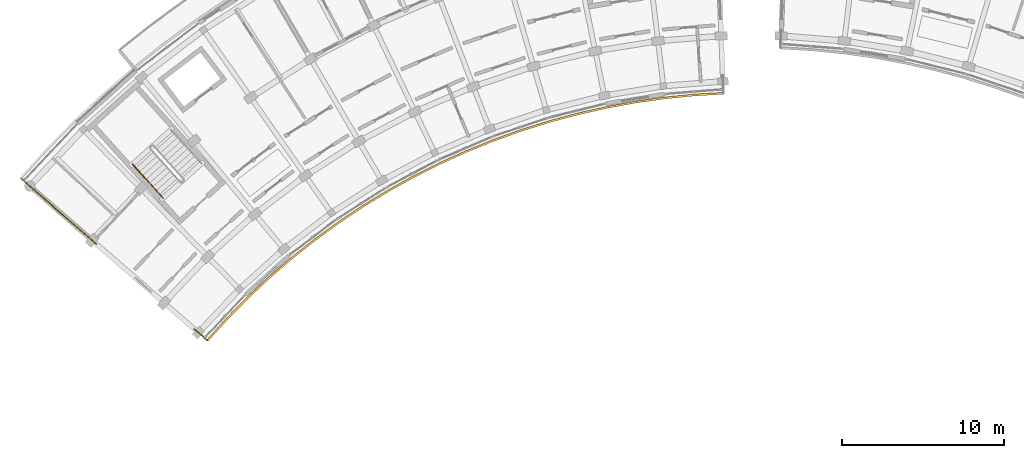
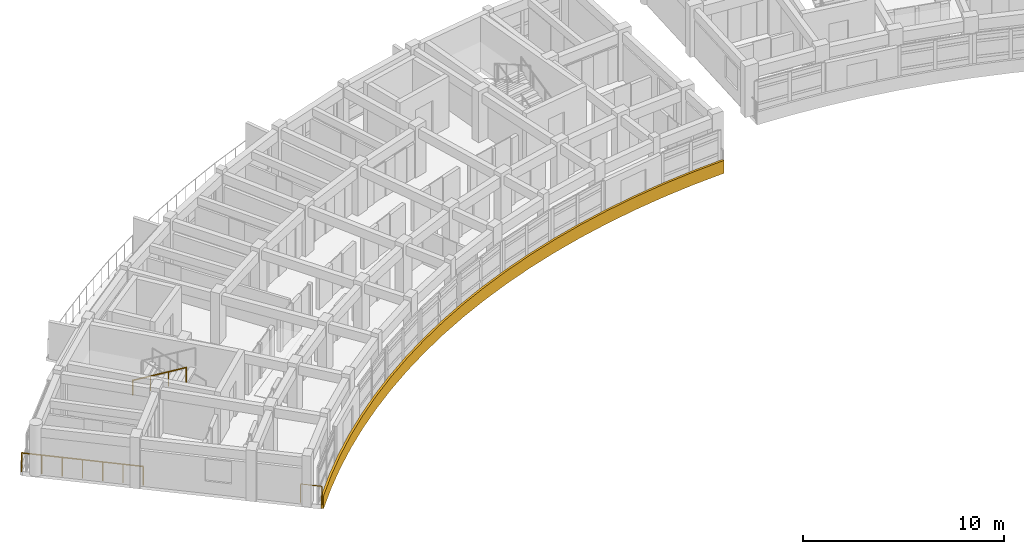
# One storey, part 32 of 40: 4 railings.
"""IFC4 building model written with IfcOpenShell, lengths in metres."""

from ifc_helpers import new_model, si_unit, direction, frame, origin, origin_2d, place, context, subcontext, project, spatial, polyline, circle, outline, extrude, material, type_object, element, save


model = new_model("IFC4")

# Units and contexts
model_context = context("Model", 3, precision=1e-05, world=origin(), true_north=direction((0.0, 1.0)))
body_context = subcontext(model_context, "Body", "Model", "MODEL_VIEW")
ifc_project = project(units=[si_unit("LENGTHUNIT", "METRE"), si_unit("AREAUNIT", "SQUARE_METRE"), si_unit("VOLUMEUNIT", "CUBIC_METRE"), si_unit("PLANEANGLEUNIT", "RADIAN"), si_unit("MASSUNIT", "GRAM", prefix="KILO")], contexts=[model_context])

# Site, building, storey
site_placement = place(None, origin())
site = spatial("IfcSite", under=ifc_project, at=site_placement, CompositionType="ELEMENT")
building_placement = place(site_placement, origin())
building = spatial("IfcBuilding", under=site, at=building_placement, Name="Zimvara Arc Housing Community", CompositionType="ELEMENT")
storey_placement = place(building_placement, frame((0.0, 0.0, 32.89990234375)))
storey = spatial("IfcBuildingStorey", under=building, at=storey_placement, Name="L10", CompositionType="ELEMENT", Elevation=32.89990234375)

# Railings
ifc_material_1 = material(Name="Anodised Aluminium AW-6063", Category="aluminium")
railing_type_1 = type_object("IfcRailingType", Name="RLG-BAL-1150", PredefinedType="BALUSTRADE", material=ifc_material_1)
railing_1_placement = place(storey_placement, frame((11.490966796875, 73.62890625, 0.0)))
element("IfcRailing", 1, at=railing_1_placement, inside=storey, type_object=railing_type_1, Name="rlg:blkA:L10:gable_in:g0", PredefinedType="BALUSTRADE", context=body_context, shape_type="SweptSolid", body=[
    extrude(circle(Radius=0.02392578125, at=origin_2d()), frame((0.0, 0.0, 1.1259765625), z_axis=(-0.754659042762, 0.656117161167, 0.0), x_axis=(-0.656117161167, -0.754659042762, 0.0)), (0.0, 0.0, 1.0), 1.080322265625),
    extrude(circle(Radius=0.02099609375, at=origin_2d()), origin(), (0.0, 0.0, 1.0), 1.101806640625),
    extrude(circle(Radius=0.02099609375, at=origin_2d()), frame((-0.815185546875, 0.708740234375, 0.0)), (0.0, 0.0, 1.0), 1.101806640625),
])
railing_2_placement = place(storey_placement, frame((4.668212890625, 79.559814453125, 0.0)))
element("IfcRailing", 2, at=railing_2_placement, inside=storey, type_object=railing_type_1, Name="rlg:blkA:L10:gable_out:g0", PredefinedType="BALUSTRADE", context=body_context, shape_type="SweptSolid", body=[
    extrude(circle(Radius=0.02392578125, at=origin_2d()), frame((0.0, 0.0, 1.1259765625), z_axis=(-0.754708757217, 0.656059975749, 0.0), x_axis=(-0.656059975749, -0.754708757217, 0.0)), (0.0, 0.0, 1.0), 6.159912109375),
    extrude(circle(Radius=0.02099609375, at=origin_2d()), origin(), (0.0, 0.0, 1.0), 1.101806640625),
    extrude(circle(Radius=0.02099609375, at=origin_2d()), frame((-0.77490234375, 0.673583984375, 0.0)), (0.0, 0.0, 1.0), 1.101806640625),
    extrude(circle(Radius=0.02099609375, at=origin_2d()), frame((-1.549560546875, 1.34716796875, 0.0)), (0.0, 0.0, 1.0), 1.101806640625),
    extrude(circle(Radius=0.02099609375, at=origin_2d()), frame((-2.324462890625, 2.0205078125, 0.0)), (0.0, 0.0, 1.0), 1.101806640625),
    extrude(circle(Radius=0.02099609375, at=origin_2d()), frame((-3.099365234375, 2.694091796875, 0.0)), (0.0, 0.0, 1.0), 1.101806640625),
    extrude(circle(Radius=0.02099609375, at=origin_2d()), frame((-3.8740234375, 3.36767578125, 0.0)), (0.0, 0.0, 1.0), 1.101806640625),
    extrude(circle(Radius=0.02099609375, at=origin_2d()), frame((-4.64892578125, 4.041259765625, 0.0)), (0.0, 0.0, 1.0), 1.101806640625),
])
ifc_material_2 = material(Name="Pale-Gold Anodised Aluminium AW-6063", Category="aluminium")
railing_type_2 = type_object("IfcRailingType", Name="RLG-FAS-780", PredefinedType="BALUSTRADE", material=ifc_material_2)
railing_3_placement = place(storey_placement, frame((0.0, 0.0, -0.219970703125)))
element("IfcRailing", 3, at=railing_3_placement, inside=storey, type_object=railing_type_2, Name="rlg:blkA:L10:gold_in", PredefinedType="BALUSTRADE", context=body_context, shape_type="SweptSolid", body=[
    extrude(outline(polyline([(11.55126953125, 73.576416015625), (12.766357421875, 74.91796875), (14.03515625, 76.208740234375), (15.355712890625, 77.446533203125), (16.7255859375, 78.62939453125), (18.142578125, 79.75537109375), (19.6044921875, 80.822509765625), (21.108642578125, 81.8291015625), (22.652587890625, 82.7734375), (24.234130859375, 83.654052734375), (25.849853515625, 84.46923828125), (27.497802734375, 85.2177734375), (29.1748046875, 85.8984375), (30.87841796875, 86.510009765625), (32.60546875, 87.051513671875), (34.35302734375, 87.522216796875), (36.11865234375, 87.9208984375), (37.898681640625, 88.247314453125), (39.69091796875, 88.5009765625), (41.491943359375, 88.680908203125), (43.298583984375, 88.787353515625), (43.2939453125, 88.9072265625), (41.482421875, 88.800537109375), (39.676513671875, 88.6201171875), (37.879638671875, 88.365966796875), (36.094482421875, 88.03857421875), (34.32421875, 87.638671875), (32.57177734375, 87.166748046875), (30.840087890625, 86.623779296875), (29.132080078125, 86.010498046875), (27.450439453125, 85.328125), (25.798095703125, 84.577392578125), (24.177734375, 83.760009765625), (22.59228515625, 82.877197265625), (21.0439453125, 81.93017578125), (19.53564453125, 80.9208984375), (18.06982421875, 79.850830078125), (16.64892578125, 78.721923828125), (15.275390625, 77.53564453125), (13.951416015625, 76.29443359375), (12.678955078125, 75.000244140625), (11.460693359375, 73.6552734375), (11.55126953125, 73.576416015625)])), origin(), (0.0, 0.0, 1.0), 0.780029296875),
])
ifc_material_3 = material(Name="Anodised Aluminium AW-6063", Category="aluminium")
railing_type_3 = type_object("IfcRailingType", Name="RLG-HND-900", PredefinedType="HANDRAIL", material=ifc_material_3)
railing_4_placement = place(storey_placement, frame((6.890869140625, 84.476806640625, 1.705078125)))
element("IfcRailing", 4, at=railing_4_placement, inside=storey, type_object=railing_type_3, Name="L10 ST-A1 stair handrail 2", PredefinedType="HANDRAIL", context=body_context, shape_type="SweptSolid", body=[
    extrude(circle(Radius=0.02392578125, at=origin_2d()), frame((0.0, 0.0, 0.8759765625), z_axis=(0.599067985855, -0.665717608404, 0.444901802856), x_axis=(0.743337374551, 0.668916697052, 0.0)), (0.0, 0.0, 1.0), 3.135498046875),
    extrude(circle(Radius=0.02099609375, at=origin_2d()), origin(), (0.0, 0.0, 1.0), 0.851806640625),
    extrude(circle(Radius=0.02099609375, at=origin_2d()), frame((0.626220703125, -0.69580078125, 0.465087890625)), (0.0, 0.0, 1.0), 0.851806640625),
    extrude(circle(Radius=0.02099609375, at=origin_2d()), frame((1.252197265625, -1.3916015625, 0.929931640625)), (0.0, 0.0, 1.0), 0.851806640625),
    extrude(circle(Radius=0.02099609375, at=origin_2d()), frame((1.87841796875, -2.08740234375, 1.39501953125)), (0.0, 0.0, 1.0), 0.851806640625),
])

save(model, "model.ifc")
